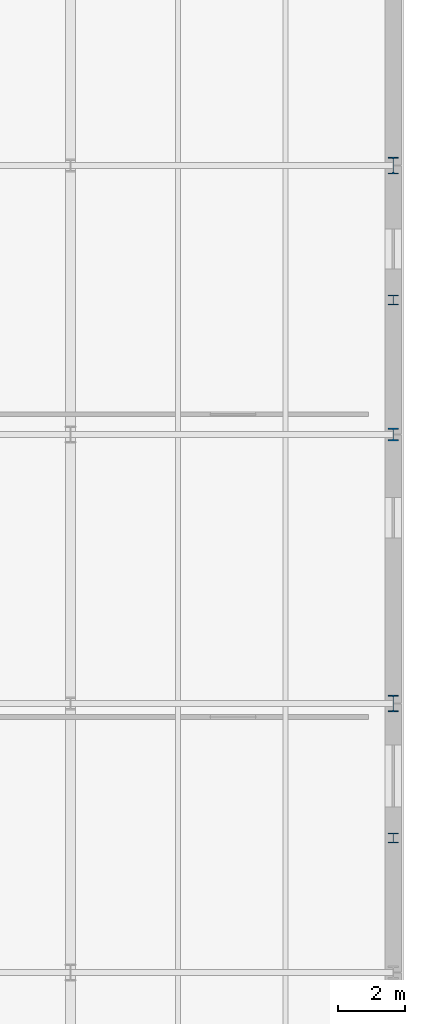
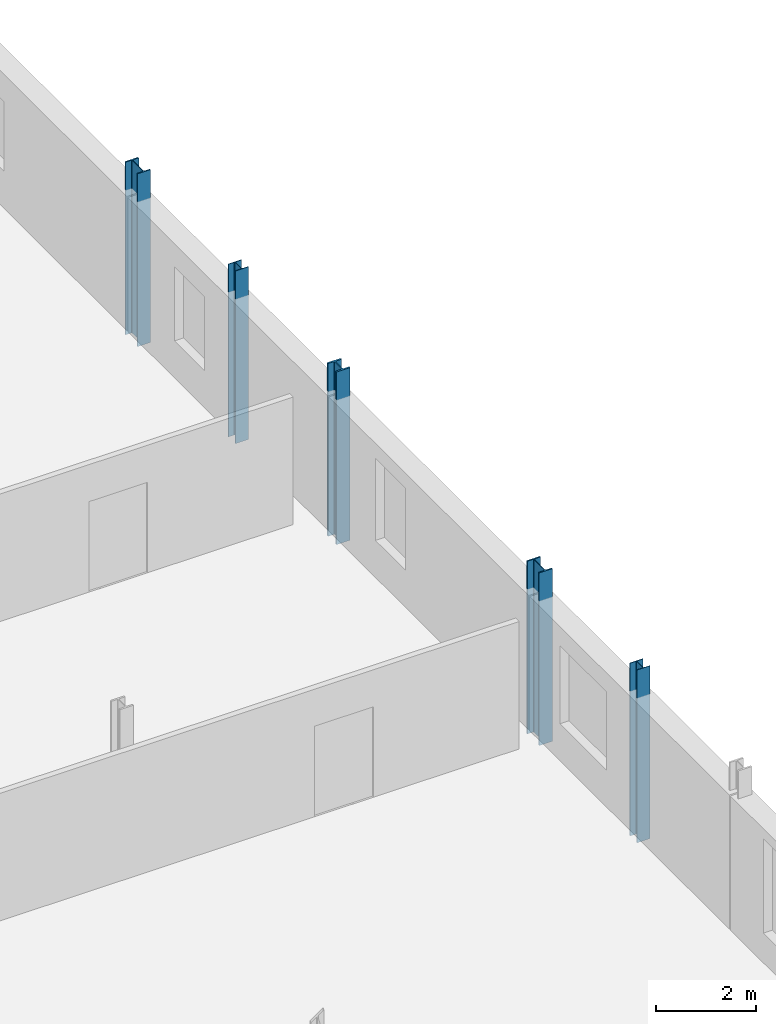
# One storey, part 28 of 78: 5 columns.
"""IFC4 building model written with IfcOpenShell, lengths in metres."""

from ifc_helpers import new_model, si_unit, direction, frame, origin, origin_2d, place, context, subcontext, project, spatial, i_section, extrude, material, material_profile, profile_set, type_object, element, save


model = new_model("IFC4")

# Units and contexts
model_context = context("Model", 3, precision=1e-05, world=origin(), true_north=direction((0.0, 1.0)))
body_context = subcontext(model_context, "Body", "Model", "MODEL_VIEW")
ifc_project = project(units=[si_unit("LENGTHUNIT", "METRE"), si_unit("AREAUNIT", "SQUARE_METRE"), si_unit("VOLUMEUNIT", "CUBIC_METRE"), si_unit("PLANEANGLEUNIT", "RADIAN"), si_unit("MASSUNIT", "GRAM", prefix="KILO")], contexts=[model_context])

# Site, building, storey
site_placement = place(None, origin())
site = spatial("IfcSite", under=ifc_project, at=site_placement, CompositionType="ELEMENT")
building_placement = place(site_placement, origin())
building = spatial("IfcBuilding", under=site, at=building_placement, Name="Alderhovde Museum", CompositionType="ELEMENT")
storey_placement = place(building_placement, frame((0.0, 0.0, 4.5)))
storey = spatial("IfcBuildingStorey", under=building, at=storey_placement, Name="L01", CompositionType="ELEMENT", Elevation=4.5)

# Columns
ifc_material_1 = material(Name="Steel S355J2", Category="steel")
ifc_material_profile_1 = material_profile(ifc_material_1, i_section(OverallWidth=0.300048828125, OverallDepth=0.5, WebThickness=0.014404296875, FlangeThickness=0.028076171875, FilletRadius=0.027099609375, at=origin_2d()), Name="HEB 500")
ifc_profile_set_1 = profile_set([ifc_material_profile_1], Name="Steel S355J2")
column_type_1 = type_object("IfcColumnType", Name="COL-HEB500", PredefinedType="COLUMN", material=ifc_profile_set_1)
for number, where, z_axis, x_axis, name in (
    (1, (172.800048828125, 72.0, -0.260009765625), (0.0, 0.0, 1.0), (1.0, 0.0, 0.0), "L01 Column (172.8, 72.0)"),
    (2, (172.800048828125, 88.0, -0.260009765625), (0.0, 0.0, 1.0), (1.0, 0.0, 0.0), "L01 Column (172.8, 88.0)"),
):
    element("IfcColumn", number, at=place(storey_placement, frame(where, z_axis=z_axis, x_axis=x_axis)), inside=storey, type_object=column_type_1, Name=name, PredefinedType="COLUMN", context=body_context, shape_type="SweptSolid", body=[
        extrude(i_section(OverallWidth=0.300048828125, OverallDepth=0.5, WebThickness=0.014404296875, FlangeThickness=0.028076171875, FilletRadius=0.027099609375, at=origin_2d()), origin(), (0.0, 0.0, 1.0), 4.199951171875),
    ])
ifc_material_2 = material(Name="Steel S355J2", Category="steel")
ifc_material_profile_2 = material_profile(ifc_material_2, i_section(OverallWidth=0.30908203125, OverallDepth=0.376953125, WebThickness=0.02099609375, FlangeThickness=0.0400390625, FilletRadius=0.027099609375, at=origin_2d()), Name="HEM 340")
ifc_profile_set_2 = profile_set([ifc_material_profile_2], Name="Steel S355J2")
column_type_2 = type_object("IfcColumnType", Name="COL-HEM340", PredefinedType="COLUMN", material=ifc_profile_set_2)
column_placement = place(storey_placement, frame((172.800048828125, 80.0, -0.260009765625), z_axis=(0.0, 0.0, 1.0), x_axis=(1.0, 0.0, 0.0)))
element("IfcColumn", 3, at=column_placement, inside=storey, type_object=column_type_2, Name="L01 Column (172.8, 80.0)", PredefinedType="COLUMN", context=body_context, shape_type="SweptSolid", body=[
    extrude(i_section(OverallWidth=0.30908203125, OverallDepth=0.376953125, WebThickness=0.02099609375, FlangeThickness=0.0400390625, FilletRadius=0.027099609375, at=origin_2d()), origin(), (0.0, 0.0, 1.0), 4.199951171875),
])
ifc_material_3 = material(Name="Steel S355J2", Category="steel")
ifc_material_profile_3 = material_profile(ifc_material_3, i_section(OverallWidth=0.300048828125, OverallDepth=0.2900390625, WebThickness=0.008544921875, FlangeThickness=0.013916015625, FilletRadius=0.027099609375, at=origin_2d()), Name="HEA 300")
ifc_profile_set_3 = profile_set([ifc_material_profile_3], Name="Steel S355J2")
column_type_3 = type_object("IfcColumnType", Name="PIL-HEA300", PredefinedType="PILASTER", material=ifc_profile_set_3)
for number, where, z_axis, x_axis, name in (
    (4, (172.800048828125, 68.0, -0.260009765625), (0.0, 0.0, 1.0), (1.0, 0.0, 0.0), "L01 Structural Pilaster (172.8, 68.0)"),
    (5, (172.800048828125, 84.0, -0.260009765625), (0.0, 0.0, 1.0), (1.0, 0.0, 0.0), "L01 Structural Pilaster (172.8, 84.0)"),
):
    element("IfcColumn", number, at=place(storey_placement, frame(where, z_axis=z_axis, x_axis=x_axis)), inside=storey, type_object=column_type_3, Name=name, PredefinedType="PILASTER", context=body_context, shape_type="SweptSolid", body=[
        extrude(i_section(OverallWidth=0.300048828125, OverallDepth=0.2900390625, WebThickness=0.008544921875, FlangeThickness=0.013916015625, FilletRadius=0.027099609375, at=origin_2d()), origin(), (0.0, 0.0, 1.0), 4.199951171875),
    ])

save(model, "model.ifc")
